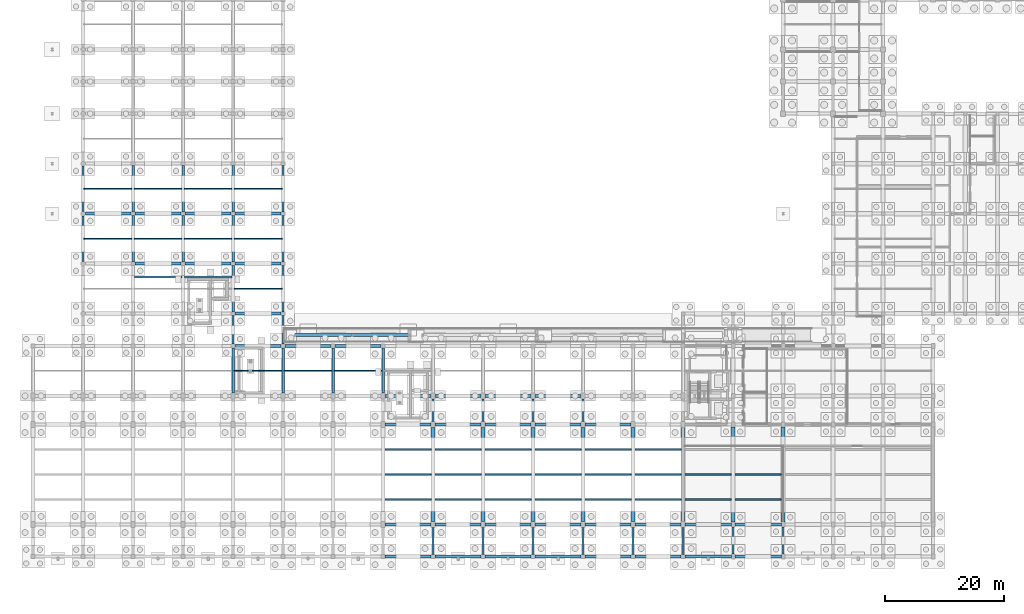
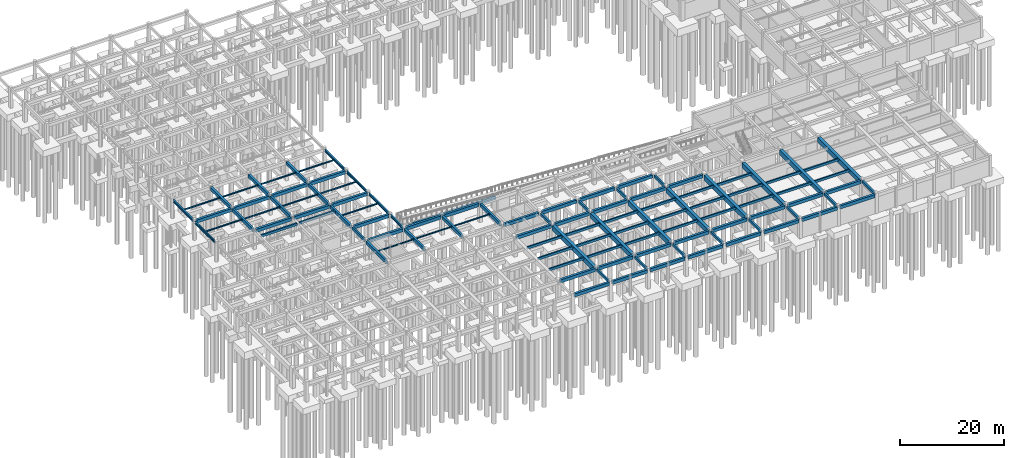
# One storey, part 27 of 49: 112 beams.
"""IFC4 building model written with IfcOpenShell, lengths in metres."""

from ifc_helpers import new_model, si_unit, direction, frame, origin, origin_2d, place, context, subcontext, project, spatial, rectangle, i_section, extrude, material, material_profile, profile_set, type_object, element, save


model = new_model("IFC4")

# Units and contexts
model_context = context("Model", 3, precision=1e-05, world=origin(), true_north=direction((0.0, 1.0)))
body_context = subcontext(model_context, "Body", "Model", "MODEL_VIEW")
ifc_project = project(units=[si_unit("LENGTHUNIT", "METRE"), si_unit("AREAUNIT", "SQUARE_METRE"), si_unit("VOLUMEUNIT", "CUBIC_METRE"), si_unit("PLANEANGLEUNIT", "RADIAN"), si_unit("MASSUNIT", "GRAM", prefix="KILO")], contexts=[model_context])

# Site, building, storey
site_placement = place(None, origin())
site = spatial("IfcSite", under=ifc_project, at=site_placement, CompositionType="ELEMENT")
building_placement = place(site_placement, origin())
building = spatial("IfcBuilding", under=site, at=building_placement, Name="Krzemoval Escarpment Law Courts", CompositionType="ELEMENT")
storey_placement = place(building_placement, frame((0.0, 0.0, -4.800048828125)))
storey = spatial("IfcBuildingStorey", under=building, at=storey_placement, Name="B1", CompositionType="ELEMENT", Elevation=-4.800048828125)

# Beams
ifc_material_1 = material(Name="Concrete C50/60", Category="concrete")
ifc_material_profile_1 = material_profile(ifc_material_1, rectangle(XDim=0.64990234375, YDim=1.14990234375, at=origin_2d()), Name="PTG 650x1150")
ifc_profile_set_1 = profile_set([ifc_material_profile_1], Name="Concrete C50/60")
beam_type_1 = type_object("IfcBeamType", Name="BM-PTG-650x1150", PredefinedType="BEAM", material=ifc_profile_set_1)
for number, where, z_axis, x_axis, name in (
    (1, (67.199951171875, 5.89990234375, 3.925048828125), (0.0, 1.0, 0.0), (-1.0, 0.0, 0.0), "Beam FG-B1-0339"),
    (2, (75.60009765625, 5.89990234375, 3.925048828125), (0.0, 1.0, 0.0), (-1.0, 0.0, 0.0), "Beam FG-B1-0345"),
    (3, (84.0, 5.89990234375, 3.925048828125), (0.0, 1.0, 0.0), (-1.0, 0.0, 0.0), "Beam FG-B1-0351"),
    (4, (92.39990234375, 5.89990234375, 3.925048828125), (0.0, 1.0, 0.0), (-1.0, 0.0, 0.0), "Beam FG-B1-0357"),
    (5, (100.800048828125, 5.89990234375, 3.925048828125), (0.0, 1.0, 0.0), (-1.0, 0.0, 0.0), "Beam FG-B1-0363"),
    (6, (109.199951171875, 5.89990234375, 3.925048828125), (0.0, 1.0, 0.0), (-1.0, 0.0, 0.0), "Beam FG-B1-0369"),
):
    element("IfcBeam", number, at=place(storey_placement, frame(where, z_axis=z_axis, x_axis=x_axis)), inside=storey, type_object=beam_type_1, Name=name, PredefinedType="BEAM", context=body_context, shape_type="SweptSolid", body=[
        extrude(rectangle(XDim=0.64990234375, YDim=1.14990234375, at=origin_2d()), origin(), (0.0, 0.0, 1.0), 15.800048828125),
    ])
for number, where, z_axis, x_axis, name in (
    (7, (117.60009765625, 5.800048828125, 3.925048828125), (0.0, 1.0, 0.0), (-1.0, 0.0, 0.0), "Beam FG-B1-0376"),
    (8, (126.0, 5.800048828125, 3.925048828125), (0.0, 1.0, 0.0), (-1.0, 0.0, 0.0), "Beam FG-B1-0383"),
):
    element("IfcBeam", number, at=place(storey_placement, frame(where, z_axis=z_axis, x_axis=x_axis)), inside=storey, type_object=beam_type_1, Name=name, PredefinedType="BEAM", context=body_context, shape_type="SweptSolid", body=[
        extrude(rectangle(XDim=0.64990234375, YDim=1.14990234375, at=origin_2d()), origin(), (0.0, 0.0, 1.0), 16.0),
    ])
ifc_material_2 = material(Name="Concrete C40/50", Category="concrete")
ifc_material_profile_2 = material_profile(ifc_material_2, rectangle(XDim=0.35009765625, YDim=0.550048828125, at=origin_2d()), Name="RCB 350x550")
ifc_profile_set_2 = profile_set([ifc_material_profile_2], Name="Concrete C40/50")
beam_type_2 = type_object("IfcBeamType", Name="BM-RC-350x550", PredefinedType="BEAM", material=ifc_profile_set_2)
beam_1_placement = place(storey_placement, frame((17.02490234375, 47.0, 4.22509765625), z_axis=(1.0, 0.0, 0.0), x_axis=(0.0, 1.0, 0.0)))
element("IfcBeam", 9, at=beam_1_placement, inside=storey, type_object=beam_type_2, Name="Beam FGT-B1-001", PredefinedType="BEAM", context=body_context, shape_type="SweptSolid", body=[
    extrude(rectangle(XDim=0.35009765625, YDim=0.550048828125, at=origin_2d()), origin(), (0.0, 0.0, 1.0), 7.9501953125),
])
beam_2_placement = place(storey_placement, frame((25.425048828125, 47.0, 4.22509765625), z_axis=(1.0, 0.0, 0.0), x_axis=(0.0, 1.0, 0.0)))
element("IfcBeam", 10, at=beam_2_placement, inside=storey, type_object=beam_type_2, Name="Beam FGT-B1-002", PredefinedType="BEAM", context=body_context, shape_type="SweptSolid", body=[
    extrude(rectangle(XDim=0.35009765625, YDim=0.550048828125, at=origin_2d()), origin(), (0.0, 0.0, 1.0), 7.949951171875),
])
ifc_material_3 = material(Name="Concrete C40/50", Category="concrete")
ifc_material_profile_3 = material_profile(ifc_material_3, rectangle(XDim=0.35009765625, YDim=0.64990234375, at=origin_2d()), Name="RCB 350x650")
ifc_profile_set_3 = profile_set([ifc_material_profile_3], Name="Concrete C40/50")
beam_type_3 = type_object("IfcBeamType", Name="BM-RC-350x650", PredefinedType="BEAM", material=ifc_profile_set_3)
beam_3_placement = place(storey_placement, frame((33.60009765625, 35.75, 4.175048828125), z_axis=(0.0, 1.0, 0.0), x_axis=(-1.0, 0.0, 0.0)))
element("IfcBeam", 11, at=beam_3_placement, inside=storey, type_object=beam_type_3, Name="Beam FG-B1-0298", PredefinedType="BEAM", context=body_context, shape_type="SweptSolid", body=[
    extrude(rectangle(XDim=0.35009765625, YDim=0.64990234375, at=origin_2d()), origin(), (0.0, 0.0, 1.0), 4.72509765625),
])
beam_4_placement = place(storey_placement, frame((67.199951171875, 0.35009765625, 4.175048828125), z_axis=(0.0, 1.0, 0.0), x_axis=(-1.0, 0.0, 0.0)))
element("IfcBeam", 12, at=beam_4_placement, inside=storey, type_object=beam_type_3, Name="Beam FG-B1-0338", PredefinedType="BEAM", context=body_context, shape_type="SweptSolid", body=[
    extrude(rectangle(XDim=0.35009765625, YDim=0.64990234375, at=origin_2d()), origin(), (0.0, 0.0, 1.0), 4.5498046875),
])
beam_5_placement = place(storey_placement, frame((67.199951171875, 22.699951171875, 4.175048828125), z_axis=(0.0, 1.0, 0.0), x_axis=(-1.0, 0.0, 0.0)))
element("IfcBeam", 13, at=beam_5_placement, inside=storey, type_object=beam_type_3, Name="Beam FG-B1-0340", PredefinedType="BEAM", context=body_context, shape_type="SweptSolid", body=[
    extrude(rectangle(XDim=0.35009765625, YDim=0.64990234375, at=origin_2d()), origin(), (0.0, 0.0, 1.0), 3.800048828125),
])
beam_6_placement = place(storey_placement, frame((75.60009765625, 0.35009765625, 4.175048828125), z_axis=(0.0, 1.0, 0.0), x_axis=(-1.0, 0.0, 0.0)))
element("IfcBeam", 14, at=beam_6_placement, inside=storey, type_object=beam_type_3, Name="Beam FG-B1-0344", PredefinedType="BEAM", context=body_context, shape_type="SweptSolid", body=[
    extrude(rectangle(XDim=0.35009765625, YDim=0.64990234375, at=origin_2d()), origin(), (0.0, 0.0, 1.0), 4.5498046875),
])
beam_7_placement = place(storey_placement, frame((75.60009765625, 22.699951171875, 4.175048828125), z_axis=(0.0, 1.0, 0.0), x_axis=(-1.0, 0.0, 0.0)))
element("IfcBeam", 15, at=beam_7_placement, inside=storey, type_object=beam_type_3, Name="Beam FG-B1-0346", PredefinedType="BEAM", context=body_context, shape_type="SweptSolid", body=[
    extrude(rectangle(XDim=0.35009765625, YDim=0.64990234375, at=origin_2d()), origin(), (0.0, 0.0, 1.0), 3.800048828125),
])
beam_8_placement = place(storey_placement, frame((84.0, 0.35009765625, 4.175048828125), z_axis=(0.0, 1.0, 0.0), x_axis=(-1.0, 0.0, 0.0)))
element("IfcBeam", 16, at=beam_8_placement, inside=storey, type_object=beam_type_3, Name="Beam FG-B1-0350", PredefinedType="BEAM", context=body_context, shape_type="SweptSolid", body=[
    extrude(rectangle(XDim=0.35009765625, YDim=0.64990234375, at=origin_2d()), origin(), (0.0, 0.0, 1.0), 4.5498046875),
])
beam_9_placement = place(storey_placement, frame((84.0, 22.699951171875, 4.175048828125), z_axis=(0.0, 1.0, 0.0), x_axis=(-1.0, 0.0, 0.0)))
element("IfcBeam", 17, at=beam_9_placement, inside=storey, type_object=beam_type_3, Name="Beam FG-B1-0352", PredefinedType="BEAM", context=body_context, shape_type="SweptSolid", body=[
    extrude(rectangle(XDim=0.35009765625, YDim=0.64990234375, at=origin_2d()), origin(), (0.0, 0.0, 1.0), 3.800048828125),
])
beam_10_placement = place(storey_placement, frame((92.39990234375, 0.35009765625, 4.175048828125), z_axis=(0.0, 1.0, 0.0), x_axis=(-1.0, 0.0, 0.0)))
element("IfcBeam", 18, at=beam_10_placement, inside=storey, type_object=beam_type_3, Name="Beam FG-B1-0356", PredefinedType="BEAM", context=body_context, shape_type="SweptSolid", body=[
    extrude(rectangle(XDim=0.35009765625, YDim=0.64990234375, at=origin_2d()), origin(), (0.0, 0.0, 1.0), 4.5498046875),
])
beam_11_placement = place(storey_placement, frame((92.39990234375, 22.699951171875, 4.175048828125), z_axis=(0.0, 1.0, 0.0), x_axis=(-1.0, 0.0, 0.0)))
element("IfcBeam", 19, at=beam_11_placement, inside=storey, type_object=beam_type_3, Name="Beam FG-B1-0358", PredefinedType="BEAM", context=body_context, shape_type="SweptSolid", body=[
    extrude(rectangle(XDim=0.35009765625, YDim=0.64990234375, at=origin_2d()), origin(), (0.0, 0.0, 1.0), 3.800048828125),
])
for number, where, z_axis, x_axis, name in (
    (20, (100.800048828125, 0.35009765625, 4.175048828125), (0.0, 1.0, 0.0), (-1.0, 0.0, 0.0), "Beam FG-B1-0362"),
    (21, (109.199951171875, 0.35009765625, 4.175048828125), (0.0, 1.0, 0.0), (-1.0, 0.0, 0.0), "Beam FG-B1-0368"),
):
    element("IfcBeam", number, at=place(storey_placement, frame(where, z_axis=z_axis, x_axis=x_axis)), inside=storey, type_object=beam_type_3, Name=name, PredefinedType="BEAM", context=body_context, shape_type="SweptSolid", body=[
        extrude(rectangle(XDim=0.35009765625, YDim=0.64990234375, at=origin_2d()), origin(), (0.0, 0.0, 1.0), 4.5498046875),
    ])
for number, where, z_axis, x_axis, name in (
    (22, (117.60009765625, 0.39990234375, 4.175048828125), (0.0, 1.0, 0.0), (-1.0, 0.0, 0.0), "Beam FG-B1-0375"),
    (23, (126.0, 0.39990234375, 4.175048828125), (0.0, 1.0, 0.0), (-1.0, 0.0, 0.0), "Beam FG-B1-0382"),
):
    element("IfcBeam", number, at=place(storey_placement, frame(where, z_axis=z_axis, x_axis=x_axis)), inside=storey, type_object=beam_type_3, Name=name, PredefinedType="BEAM", context=body_context, shape_type="SweptSolid", body=[
        extrude(rectangle(XDim=0.35009765625, YDim=0.64990234375, at=origin_2d()), origin(), (0.0, 0.0, 1.0), 4.60009765625),
    ])
ifc_material_4 = material(Name="Concrete C40/50", Category="concrete")
ifc_material_profile_4 = material_profile(ifc_material_4, rectangle(XDim=0.449951171875, YDim=0.800048828125, at=origin_2d()), Name="RCB 450x800")
ifc_profile_set_4 = profile_set([ifc_material_profile_4], Name="Concrete C40/50")
beam_type_4 = type_object("IfcBeamType", Name="BM-RC-450x800", PredefinedType="BEAM", material=ifc_profile_set_4)
for number, where, z_axis, x_axis, name in (
    (24, (16.800048828125, 49.52490234375, 4.10009765625), (0.0, 1.0, 0.0), (-1.0, 0.0, 0.0), "Beam FG-B1-0268"),
    (25, (16.800048828125, 57.925048828125, 4.10009765625), (0.0, 1.0, 0.0), (-1.0, 0.0, 0.0), "Beam FG-B1-0269"),
    (26, (25.199951171875, 49.52490234375, 4.10009765625), (0.0, 1.0, 0.0), (-1.0, 0.0, 0.0), "Beam FG-B1-0284"),
    (27, (25.199951171875, 57.925048828125, 4.10009765625), (0.0, 1.0, 0.0), (-1.0, 0.0, 0.0), "Beam FG-B1-0285"),
):
    element("IfcBeam", number, at=place(storey_placement, frame(where, z_axis=z_axis, x_axis=x_axis)), inside=storey, type_object=beam_type_4, Name=name, PredefinedType="BEAM", context=body_context, shape_type="SweptSolid", body=[
        extrude(rectangle(XDim=0.449951171875, YDim=0.800048828125, at=origin_2d()), origin(), (0.0, 0.0, 1.0), 7.75),
    ])
beam_12_placement = place(storey_placement, frame((33.60009765625, 27.5, 4.10009765625), z_axis=(0.0, 1.0, 0.0), x_axis=(-1.0, 0.0, 0.0)))
element("IfcBeam", 28, at=beam_12_placement, inside=storey, type_object=beam_type_4, Name="Beam FG-B1-0297", PredefinedType="BEAM", context=body_context, shape_type="SweptSolid", body=[
    extrude(rectangle(XDim=0.449951171875, YDim=0.800048828125, at=origin_2d()), origin(), (0.0, 0.0, 1.0), 7.550048828125),
])
for number, where, z_axis, x_axis, name in (
    (29, (33.60009765625, 41.125, 4.10009765625), (0.0, 1.0, 0.0), (-1.0, 0.0, 0.0), "Beam FG-B1-0299"),
    (30, (33.60009765625, 49.52490234375, 4.10009765625), (0.0, 1.0, 0.0), (-1.0, 0.0, 0.0), "Beam FG-B1-0300"),
    (31, (33.60009765625, 57.925048828125, 4.10009765625), (0.0, 1.0, 0.0), (-1.0, 0.0, 0.0), "Beam FG-B1-0301"),
):
    element("IfcBeam", number, at=place(storey_placement, frame(where, z_axis=z_axis, x_axis=x_axis)), inside=storey, type_object=beam_type_4, Name=name, PredefinedType="BEAM", context=body_context, shape_type="SweptSolid", body=[
        extrude(rectangle(XDim=0.449951171875, YDim=0.800048828125, at=origin_2d()), origin(), (0.0, 0.0, 1.0), 7.75),
    ])
for number, where, z_axis, x_axis, name in (
    (32, (42.0, 27.5, 4.10009765625), (0.0, 1.0, 0.0), (-1.0, 0.0, 0.0), "Beam FG-B1-0313"),
    (33, (50.39990234375, 27.5, 4.10009765625), (0.0, 1.0, 0.0), (-1.0, 0.0, 0.0), "Beam FG-B1-0329"),
    (34, (58.800048828125, 27.5, 4.10009765625), (0.0, 1.0, 0.0), (-1.0, 0.0, 0.0), "Beam FG-B1-0335"),
):
    element("IfcBeam", number, at=place(storey_placement, frame(where, z_axis=z_axis, x_axis=x_axis)), inside=storey, type_object=beam_type_4, Name=name, PredefinedType="BEAM", context=body_context, shape_type="SweptSolid", body=[
        extrude(rectangle(XDim=0.449951171875, YDim=0.800048828125, at=origin_2d()), origin(), (0.0, 0.0, 1.0), 7.550048828125),
    ])
ifc_material_5 = material(Name="Concrete C40/50", Category="concrete")
ifc_material_profile_5 = material_profile(ifc_material_5, rectangle(XDim=0.5, YDim=0.75, at=origin_2d()), Name="RCB 500x750")
ifc_profile_set_5 = profile_set([ifc_material_profile_5], Name="Concrete C40/50")
beam_type_5 = type_object("IfcBeamType", Name="BM-RC-500x750", PredefinedType="BEAM", material=ifc_profile_set_5)
beam_13_placement = place(storey_placement, frame((59.14990234375, 0.0, 4.125), z_axis=(1.0, 0.0, 0.0), x_axis=(0.0, 1.0, 0.0)))
element("IfcBeam", 35, at=beam_13_placement, inside=storey, type_object=beam_type_5, Name="Beam FG-B1-0008", PredefinedType="BEAM", context=body_context, shape_type="SweptSolid", body=[
    extrude(rectangle(XDim=0.5, YDim=0.75, at=origin_2d()), origin(), (0.0, 0.0, 1.0), 7.7001953125),
])
for number, where, z_axis, x_axis, name in (
    (36, (67.550048828125, 0.0, 4.125), (1.0, 0.0, 0.0), (0.0, 1.0, 0.0), "Beam FG-B1-0009"),
    (37, (75.949951171875, 0.0, 4.125), (1.0, 0.0, 0.0), (0.0, 1.0, 0.0), "Beam FG-B1-0010"),
    (38, (84.35009765625, 0.0, 4.125), (1.0, 0.0, 0.0), (0.0, 1.0, 0.0), "Beam FG-B1-0011"),
    (39, (92.75, 0.0, 4.125), (1.0, 0.0, 0.0), (0.0, 1.0, 0.0), "Beam FG-B1-0012"),
):
    element("IfcBeam", number, at=place(storey_placement, frame(where, z_axis=z_axis, x_axis=x_axis)), inside=storey, type_object=beam_type_5, Name=name, PredefinedType="BEAM", context=body_context, shape_type="SweptSolid", body=[
        extrude(rectangle(XDim=0.5, YDim=0.75, at=origin_2d()), origin(), (0.0, 0.0, 1.0), 7.699951171875),
    ])
beam_14_placement = place(storey_placement, frame((101.14990234375, 0.0, 4.125), z_axis=(1.0, 0.0, 0.0), x_axis=(0.0, 1.0, 0.0)))
element("IfcBeam", 40, at=beam_14_placement, inside=storey, type_object=beam_type_5, Name="Beam FG-B1-0013", PredefinedType="BEAM", context=body_context, shape_type="SweptSolid", body=[
    extrude(rectangle(XDim=0.5, YDim=0.75, at=origin_2d()), origin(), (0.0, 0.0, 1.0), 7.7001953125),
])
beam_15_placement = place(storey_placement, frame((109.550048828125, 0.0, 4.125), z_axis=(1.0, 0.0, 0.0), x_axis=(0.0, 1.0, 0.0)))
element("IfcBeam", 41, at=beam_15_placement, inside=storey, type_object=beam_type_5, Name="Beam FG-B1-0014", PredefinedType="BEAM", context=body_context, shape_type="SweptSolid", body=[
    extrude(rectangle(XDim=0.5, YDim=0.75, at=origin_2d()), origin(), (0.0, 0.0, 1.0), 7.75),
])
beam_16_placement = place(storey_placement, frame((117.89990234375, 0.0, 4.125), z_axis=(1.0, 0.0, 0.0), x_axis=(0.0, 1.0, 0.0)))
element("IfcBeam", 42, at=beam_16_placement, inside=storey, type_object=beam_type_5, Name="Beam FG-B1-0015", PredefinedType="BEAM", context=body_context, shape_type="SweptSolid", body=[
    extrude(rectangle(XDim=0.5, YDim=0.75, at=origin_2d()), origin(), (0.0, 0.0, 1.0), 7.800048828125),
])
beam_17_placement = place(storey_placement, frame((59.14990234375, 5.39990234375, 4.125), z_axis=(1.0, 0.0, 0.0), x_axis=(0.0, 1.0, 0.0)))
element("IfcBeam", 43, at=beam_17_placement, inside=storey, type_object=beam_type_5, Name="Beam FG-B1-0026", PredefinedType="BEAM", context=body_context, shape_type="SweptSolid", body=[
    extrude(rectangle(XDim=0.5, YDim=0.75, at=origin_2d()), origin(), (0.0, 0.0, 1.0), 7.7001953125),
])
for number, where, z_axis, x_axis, name in (
    (44, (67.550048828125, 5.39990234375, 4.125), (1.0, 0.0, 0.0), (0.0, 1.0, 0.0), "Beam FG-B1-0027"),
    (45, (75.949951171875, 5.39990234375, 4.125), (1.0, 0.0, 0.0), (0.0, 1.0, 0.0), "Beam FG-B1-0028"),
    (46, (84.35009765625, 5.39990234375, 4.125), (1.0, 0.0, 0.0), (0.0, 1.0, 0.0), "Beam FG-B1-0029"),
    (47, (92.75, 5.39990234375, 4.125), (1.0, 0.0, 0.0), (0.0, 1.0, 0.0), "Beam FG-B1-0030"),
):
    element("IfcBeam", number, at=place(storey_placement, frame(where, z_axis=z_axis, x_axis=x_axis)), inside=storey, type_object=beam_type_5, Name=name, PredefinedType="BEAM", context=body_context, shape_type="SweptSolid", body=[
        extrude(rectangle(XDim=0.5, YDim=0.75, at=origin_2d()), origin(), (0.0, 0.0, 1.0), 7.699951171875),
    ])
beam_18_placement = place(storey_placement, frame((101.14990234375, 5.39990234375, 4.125), z_axis=(1.0, 0.0, 0.0), x_axis=(0.0, 1.0, 0.0)))
element("IfcBeam", 48, at=beam_18_placement, inside=storey, type_object=beam_type_5, Name="Beam FG-B1-0031", PredefinedType="BEAM", context=body_context, shape_type="SweptSolid", body=[
    extrude(rectangle(XDim=0.5, YDim=0.75, at=origin_2d()), origin(), (0.0, 0.0, 1.0), 7.7001953125),
])
beam_19_placement = place(storey_placement, frame((109.550048828125, 5.39990234375, 4.125), z_axis=(1.0, 0.0, 0.0), x_axis=(0.0, 1.0, 0.0)))
element("IfcBeam", 49, at=beam_19_placement, inside=storey, type_object=beam_type_5, Name="Beam FG-B1-0032", PredefinedType="BEAM", context=body_context, shape_type="SweptSolid", body=[
    extrude(rectangle(XDim=0.5, YDim=0.75, at=origin_2d()), origin(), (0.0, 0.0, 1.0), 7.75),
])
beam_20_placement = place(storey_placement, frame((117.89990234375, 5.39990234375, 4.125), z_axis=(1.0, 0.0, 0.0), x_axis=(0.0, 1.0, 0.0)))
element("IfcBeam", 50, at=beam_20_placement, inside=storey, type_object=beam_type_5, Name="Beam FG-B1-0033", PredefinedType="BEAM", context=body_context, shape_type="SweptSolid", body=[
    extrude(rectangle(XDim=0.5, YDim=0.75, at=origin_2d()), origin(), (0.0, 0.0, 1.0), 7.800048828125),
])
beam_21_placement = place(storey_placement, frame((59.14990234375, 22.199951171875, 4.125), z_axis=(1.0, 0.0, 0.0), x_axis=(0.0, 1.0, 0.0)))
element("IfcBeam", 51, at=beam_21_placement, inside=storey, type_object=beam_type_5, Name="Beam FG-B1-0044", PredefinedType="BEAM", context=body_context, shape_type="SweptSolid", body=[
    extrude(rectangle(XDim=0.5, YDim=0.75, at=origin_2d()), origin(), (0.0, 0.0, 1.0), 7.7001953125),
])
for number, where, z_axis, x_axis, name in (
    (52, (67.550048828125, 22.199951171875, 4.125), (1.0, 0.0, 0.0), (0.0, 1.0, 0.0), "Beam FG-B1-0045"),
    (53, (75.949951171875, 22.199951171875, 4.125), (1.0, 0.0, 0.0), (0.0, 1.0, 0.0), "Beam FG-B1-0046"),
    (54, (84.35009765625, 22.199951171875, 4.125), (1.0, 0.0, 0.0), (0.0, 1.0, 0.0), "Beam FG-B1-0047"),
    (55, (92.75, 22.199951171875, 4.125), (1.0, 0.0, 0.0), (0.0, 1.0, 0.0), "Beam FG-B1-0048"),
):
    element("IfcBeam", number, at=place(storey_placement, frame(where, z_axis=z_axis, x_axis=x_axis)), inside=storey, type_object=beam_type_5, Name=name, PredefinedType="BEAM", context=body_context, shape_type="SweptSolid", body=[
        extrude(rectangle(XDim=0.5, YDim=0.75, at=origin_2d()), origin(), (0.0, 0.0, 1.0), 7.699951171875),
    ])
beam_22_placement = place(storey_placement, frame((59.14990234375, 27.0, 4.125), z_axis=(1.0, 0.0, 0.0), x_axis=(0.0, 1.0, 0.0)))
element("IfcBeam", 56, at=beam_22_placement, inside=storey, type_object=beam_type_5, Name="Beam FG-B1-0062", PredefinedType="BEAM", context=body_context, shape_type="SweptSolid", body=[
    extrude(rectangle(XDim=0.5, YDim=0.75, at=origin_2d()), origin(), (0.0, 0.0, 1.0), 7.7001953125),
])
for number, where, z_axis, x_axis, name in (
    (57, (67.550048828125, 27.0, 4.125), (1.0, 0.0, 0.0), (0.0, 1.0, 0.0), "Beam FG-B1-0063"),
    (58, (75.949951171875, 27.0, 4.125), (1.0, 0.0, 0.0), (0.0, 1.0, 0.0), "Beam FG-B1-0064"),
    (59, (84.35009765625, 27.0, 4.125), (1.0, 0.0, 0.0), (0.0, 1.0, 0.0), "Beam FG-B1-0065"),
    (60, (33.949951171875, 35.39990234375, 4.125), (1.0, 0.0, 0.0), (0.0, 1.0, 0.0), "Beam FG-B1-0076"),
    (61, (42.35009765625, 35.39990234375, 4.125), (1.0, 0.0, 0.0), (0.0, 1.0, 0.0), "Beam FG-B1-0077"),
    (62, (50.75, 35.39990234375, 4.125), (1.0, 0.0, 0.0), (0.0, 1.0, 0.0), "Beam FG-B1-0078"),
):
    element("IfcBeam", number, at=place(storey_placement, frame(where, z_axis=z_axis, x_axis=x_axis)), inside=storey, type_object=beam_type_5, Name=name, PredefinedType="BEAM", context=body_context, shape_type="SweptSolid", body=[
        extrude(rectangle(XDim=0.5, YDim=0.75, at=origin_2d()), origin(), (0.0, 0.0, 1.0), 7.699951171875),
    ])
for number, where, z_axis, x_axis, name in (
    (63, (33.925048828125, 40.800048828125, 4.125), (1.0, 0.0, 0.0), (0.0, 1.0, 0.0), "Beam FG-B1-0093"),
    (64, (17.125, 49.199951171875, 4.125), (1.0, 0.0, 0.0), (0.0, 1.0, 0.0), "Beam FG-B1-0104"),
    (65, (25.52490234375, 49.199951171875, 4.125), (1.0, 0.0, 0.0), (0.0, 1.0, 0.0), "Beam FG-B1-0105"),
    (66, (33.925048828125, 49.199951171875, 4.125), (1.0, 0.0, 0.0), (0.0, 1.0, 0.0), "Beam FG-B1-0106"),
):
    element("IfcBeam", number, at=place(storey_placement, frame(where, z_axis=z_axis, x_axis=x_axis)), inside=storey, type_object=beam_type_5, Name=name, PredefinedType="BEAM", context=body_context, shape_type="SweptSolid", body=[
        extrude(rectangle(XDim=0.5, YDim=0.75, at=origin_2d()), origin(), (0.0, 0.0, 1.0), 7.75),
    ])
beam_23_placement = place(storey_placement, frame((8.77490234375, 57.60009765625, 4.125), z_axis=(1.0, 0.0, 0.0), x_axis=(0.0, 1.0, 0.0)))
element("IfcBeam", 67, at=beam_23_placement, inside=storey, type_object=beam_type_5, Name="Beam FG-B1-0113", PredefinedType="BEAM", context=body_context, shape_type="SweptSolid", body=[
    extrude(rectangle(XDim=0.5, YDim=0.75, at=origin_2d()), origin(), (0.0, 0.0, 1.0), 7.7001953125),
])
for number, where, z_axis, x_axis, name in (
    (68, (17.125, 57.60009765625, 4.125), (1.0, 0.0, 0.0), (0.0, 1.0, 0.0), "Beam FG-B1-0114"),
    (69, (25.52490234375, 57.60009765625, 4.125), (1.0, 0.0, 0.0), (0.0, 1.0, 0.0), "Beam FG-B1-0115"),
    (70, (33.925048828125, 57.60009765625, 4.125), (1.0, 0.0, 0.0), (0.0, 1.0, 0.0), "Beam FG-B1-0116"),
):
    element("IfcBeam", number, at=place(storey_placement, frame(where, z_axis=z_axis, x_axis=x_axis)), inside=storey, type_object=beam_type_5, Name=name, PredefinedType="BEAM", context=body_context, shape_type="SweptSolid", body=[
        extrude(rectangle(XDim=0.5, YDim=0.75, at=origin_2d()), origin(), (0.0, 0.0, 1.0), 7.75),
    ])
beam_24_placement = place(storey_placement, frame((44.0, 37.199951171875, 3.005126953125), z_axis=(1.0, 0.0, 0.0), x_axis=(0.0, 1.0, 0.0)))
element("IfcBeam", 71, at=beam_24_placement, inside=storey, type_object=beam_type_5, Name="Ramp Longitudinal Support Girder RHB-2854", PredefinedType="BEAM", context=body_context, shape_type="SweptSolid", body=[
    extrude(rectangle(XDim=0.5, YDim=0.75, at=origin_2d()), origin(), (0.0, 0.0, 1.0), 9.60009765625),
])
beam_25_placement = place(storey_placement, frame((53.60009765625, 37.199951171875, 3.005126953125), z_axis=(1.0, 0.0, 0.0), x_axis=(0.0, 1.0, 0.0)))
element("IfcBeam", 72, at=beam_25_placement, inside=storey, type_object=beam_type_5, Name="Ramp Longitudinal Support Girder RHB-2855", PredefinedType="BEAM", context=body_context, shape_type="SweptSolid", body=[
    extrude(rectangle(XDim=0.5, YDim=0.75, at=origin_2d()), origin(), (0.0, 0.0, 1.0), 9.599853515625),
])
ifc_material_6 = material(Name="Concrete C40/50", Category="concrete")
ifc_material_profile_6 = material_profile(ifc_material_6, rectangle(XDim=0.300048828125, YDim=0.550048828125, at=origin_2d()), Name="RCB 300x550")
ifc_profile_set_6 = profile_set([ifc_material_profile_6], Name="Concrete C40/50")
beam_type_6 = type_object("IfcBeamType", Name="JST-RC-300x550", PredefinedType="JOIST", material=ifc_profile_set_6)
for number, where, z_axis, x_axis, name in (
    (73, (59.125, 9.60009765625, 4.22509765625), (1.0, 0.0, 0.0), (0.0, 1.0, 0.0), "Secondary Joist FJ-B1-0525"),
    (74, (59.125, 13.800048828125, 4.22509765625), (1.0, 0.0, 0.0), (0.0, 1.0, 0.0), "Secondary Joist FJ-B1-0526"),
    (75, (59.125, 18.0, 4.22509765625), (1.0, 0.0, 0.0), (0.0, 1.0, 0.0), "Secondary Joist FJ-B1-0527"),
    (76, (67.52490234375, 9.60009765625, 4.22509765625), (1.0, 0.0, 0.0), (0.0, 1.0, 0.0), "Secondary Joist FJ-B1-0530"),
    (77, (67.52490234375, 13.800048828125, 4.22509765625), (1.0, 0.0, 0.0), (0.0, 1.0, 0.0), "Secondary Joist FJ-B1-0531"),
    (78, (67.52490234375, 18.0, 4.22509765625), (1.0, 0.0, 0.0), (0.0, 1.0, 0.0), "Secondary Joist FJ-B1-0532"),
    (79, (75.925048828125, 9.60009765625, 4.22509765625), (1.0, 0.0, 0.0), (0.0, 1.0, 0.0), "Secondary Joist FJ-B1-0535"),
    (80, (75.925048828125, 13.800048828125, 4.22509765625), (1.0, 0.0, 0.0), (0.0, 1.0, 0.0), "Secondary Joist FJ-B1-0536"),
    (81, (75.925048828125, 18.0, 4.22509765625), (1.0, 0.0, 0.0), (0.0, 1.0, 0.0), "Secondary Joist FJ-B1-0537"),
    (82, (84.324951171875, 9.60009765625, 4.22509765625), (1.0, 0.0, 0.0), (0.0, 1.0, 0.0), "Secondary Joist FJ-B1-0540"),
    (83, (84.324951171875, 13.800048828125, 4.22509765625), (1.0, 0.0, 0.0), (0.0, 1.0, 0.0), "Secondary Joist FJ-B1-0541"),
    (84, (84.324951171875, 18.0, 4.22509765625), (1.0, 0.0, 0.0), (0.0, 1.0, 0.0), "Secondary Joist FJ-B1-0542"),
    (85, (92.72509765625, 9.60009765625, 4.22509765625), (1.0, 0.0, 0.0), (0.0, 1.0, 0.0), "Secondary Joist FJ-B1-0545"),
    (86, (92.72509765625, 13.800048828125, 4.22509765625), (1.0, 0.0, 0.0), (0.0, 1.0, 0.0), "Secondary Joist FJ-B1-0546"),
    (87, (92.72509765625, 18.0, 4.22509765625), (1.0, 0.0, 0.0), (0.0, 1.0, 0.0), "Secondary Joist FJ-B1-0547"),
    (88, (101.125, 9.60009765625, 4.22509765625), (1.0, 0.0, 0.0), (0.0, 1.0, 0.0), "Secondary Joist FJ-B1-0550"),
    (89, (101.125, 13.800048828125, 4.22509765625), (1.0, 0.0, 0.0), (0.0, 1.0, 0.0), "Secondary Joist FJ-B1-0551"),
    (90, (101.125, 18.0, 4.22509765625), (1.0, 0.0, 0.0), (0.0, 1.0, 0.0), "Secondary Joist FJ-B1-0552"),
    (91, (109.52490234375, 9.60009765625, 4.22509765625), (1.0, 0.0, 0.0), (0.0, 1.0, 0.0), "Secondary Joist FJ-B1-0555"),
    (92, (109.52490234375, 13.800048828125, 4.22509765625), (1.0, 0.0, 0.0), (0.0, 1.0, 0.0), "Secondary Joist FJ-B1-0556"),
    (93, (117.925048828125, 9.60009765625, 4.22509765625), (1.0, 0.0, 0.0), (0.0, 1.0, 0.0), "Secondary Joist FJ-B1-0560"),
    (94, (117.925048828125, 13.800048828125, 4.22509765625), (1.0, 0.0, 0.0), (0.0, 1.0, 0.0), "Secondary Joist FJ-B1-0561"),
):
    element("IfcBeam", number, at=place(storey_placement, frame(where, z_axis=z_axis, x_axis=x_axis)), inside=storey, type_object=beam_type_6, Name=name, PredefinedType="JOIST", context=body_context, shape_type="SweptSolid", body=[
        extrude(rectangle(XDim=0.300048828125, YDim=0.550048828125, at=origin_2d()), origin(), (0.0, 0.0, 1.0), 7.75),
    ])
ifc_material_7 = material(Name="Steel S355", Category="steel")
ifc_material_profile_7 = material_profile(ifc_material_7, i_section(OverallWidth=0.14990234375, OverallDepth=0.300048828125, WebThickness=0.007080078125, FlangeThickness=0.0107421875, at=origin_2d()), Name="IPE 300")
ifc_profile_set_7 = profile_set([ifc_material_profile_7], Name="Steel S355")
beam_type_7 = type_object("IfcBeamType", Name="JST-S355-IPE300", PredefinedType="JOIST", material=ifc_profile_set_7)
for number, where, z_axis, x_axis, name in (
    (95, (33.824951171875, 31.199951171875, 4.35009765625), (1.0, 0.0, 0.0), (0.0, 1.0, 0.0), "Secondary Joist FJ-B1-0508"),
    (96, (42.22509765625, 31.199951171875, 4.35009765625), (1.0, 0.0, 0.0), (0.0, 1.0, 0.0), "Secondary Joist FJ-B1-0518"),
    (97, (50.625, 31.199951171875, 4.35009765625), (1.0, 0.0, 0.0), (0.0, 1.0, 0.0), "Secondary Joist FJ-B1-0523"),
):
    element("IfcBeam", number, at=place(storey_placement, frame(where, z_axis=z_axis, x_axis=x_axis)), inside=storey, type_object=beam_type_7, Name=name, PredefinedType="JOIST", context=body_context, shape_type="SweptSolid", body=[
        extrude(i_section(OverallWidth=0.14990234375, OverallDepth=0.300048828125, WebThickness=0.007080078125, FlangeThickness=0.0107421875, at=origin_2d()), origin(), (0.0, 0.0, 1.0), 7.949951171875),
    ])
ifc_material_8 = material(Name="Steel S355", Category="steel")
ifc_material_profile_8 = material_profile(ifc_material_8, i_section(OverallWidth=0.159912109375, OverallDepth=0.330078125, WebThickness=0.007568359375, FlangeThickness=0.011474609375, at=origin_2d()), Name="IPE 330")
ifc_profile_set_8 = profile_set([ifc_material_profile_8], Name="Steel S355")
beam_type_8 = type_object("IfcBeamType", Name="JST-S355-IPE330", PredefinedType="JOIST", material=ifc_profile_set_8)
for number, where, z_axis, x_axis, name in (
    (98, (8.550048828125, 53.39990234375, 4.3349609375), (1.0, 0.0, 0.0), (0.0, 1.0, 0.0), "Secondary Joist FJ-B1-0480"),
    (99, (8.550048828125, 61.800048828125, 4.3349609375), (1.0, 0.0, 0.0), (0.0, 1.0, 0.0), "Secondary Joist FJ-B1-0481"),
):
    element("IfcBeam", number, at=place(storey_placement, frame(where, z_axis=z_axis, x_axis=x_axis)), inside=storey, type_object=beam_type_8, Name=name, PredefinedType="JOIST", context=body_context, shape_type="SweptSolid", body=[
        extrude(i_section(OverallWidth=0.159912109375, OverallDepth=0.330078125, WebThickness=0.007568359375, FlangeThickness=0.011474609375, at=origin_2d()), origin(), (0.0, 0.0, 1.0), 8.02490234375),
    ])
for number, where, z_axis, x_axis, name in (
    (100, (17.02490234375, 53.39990234375, 4.3349609375), (1.0, 0.0, 0.0), (0.0, 1.0, 0.0), "Secondary Joist FJ-B1-0490"),
    (101, (17.02490234375, 61.800048828125, 4.3349609375), (1.0, 0.0, 0.0), (0.0, 1.0, 0.0), "Secondary Joist FJ-B1-0491"),
):
    element("IfcBeam", number, at=place(storey_placement, frame(where, z_axis=z_axis, x_axis=x_axis)), inside=storey, type_object=beam_type_8, Name=name, PredefinedType="JOIST", context=body_context, shape_type="SweptSolid", body=[
        extrude(i_section(OverallWidth=0.159912109375, OverallDepth=0.330078125, WebThickness=0.007568359375, FlangeThickness=0.011474609375, at=origin_2d()), origin(), (0.0, 0.0, 1.0), 7.9501953125),
    ])
for number, where, z_axis, x_axis, name in (
    (102, (25.425048828125, 53.39990234375, 4.3349609375), (1.0, 0.0, 0.0), (0.0, 1.0, 0.0), "Secondary Joist FJ-B1-0500"),
    (103, (25.425048828125, 61.800048828125, 4.3349609375), (1.0, 0.0, 0.0), (0.0, 1.0, 0.0), "Secondary Joist FJ-B1-0501"),
):
    element("IfcBeam", number, at=place(storey_placement, frame(where, z_axis=z_axis, x_axis=x_axis)), inside=storey, type_object=beam_type_8, Name=name, PredefinedType="JOIST", context=body_context, shape_type="SweptSolid", body=[
        extrude(i_section(OverallWidth=0.159912109375, OverallDepth=0.330078125, WebThickness=0.007568359375, FlangeThickness=0.011474609375, at=origin_2d()), origin(), (0.0, 0.0, 1.0), 7.949951171875),
    ])
for number, where, z_axis, x_axis, name in (
    (104, (33.824951171875, 45.0, 4.3349609375), (1.0, 0.0, 0.0), (0.0, 1.0, 0.0), "Secondary Joist FJ-B1-0509"),
    (105, (33.824951171875, 53.39990234375, 4.3349609375), (1.0, 0.0, 0.0), (0.0, 1.0, 0.0), "Secondary Joist FJ-B1-0510"),
    (106, (33.824951171875, 61.800048828125, 4.3349609375), (1.0, 0.0, 0.0), (0.0, 1.0, 0.0), "Secondary Joist FJ-B1-0511"),
):
    element("IfcBeam", number, at=place(storey_placement, frame(where, z_axis=z_axis, x_axis=x_axis)), inside=storey, type_object=beam_type_8, Name=name, PredefinedType="JOIST", context=body_context, shape_type="SweptSolid", body=[
        extrude(i_section(OverallWidth=0.159912109375, OverallDepth=0.330078125, WebThickness=0.007568359375, FlangeThickness=0.011474609375, at=origin_2d()), origin(), (0.0, 0.0, 1.0), 8.025146484375),
    ])
ifc_material_9 = material(Name="Steel S355", Category="steel")
ifc_material_profile_9 = material_profile(ifc_material_9, i_section(OverallWidth=0.300048828125, OverallDepth=0.60009765625, WebThickness=0.015380859375, FlangeThickness=0.030029296875, at=origin_2d()), Name="HEB 600")
ifc_profile_set_9 = profile_set([ifc_material_profile_9], Name="Steel S355")
beam_type_9 = type_object("IfcBeamType", Name="SPN-S355-HEB600", PredefinedType="SPANDREL", material=ifc_profile_set_9)
beam_26_placement = place(storey_placement, frame((8.39990234375, 49.574951171875, 4.199951171875), z_axis=(0.0, 1.0, 0.0), x_axis=(-1.0, 0.0, 0.0)))
element("IfcBeam", 107, at=beam_26_placement, inside=storey, type_object=beam_type_9, Name="Beam FG-B1-0252", PredefinedType="SPANDREL", context=body_context, shape_type="SweptSolid", body=[
    extrude(i_section(OverallWidth=0.300048828125, OverallDepth=0.60009765625, WebThickness=0.015380859375, FlangeThickness=0.030029296875, at=origin_2d()), origin(), (0.0, 0.0, 1.0), 7.650146484375),
])
beam_27_placement = place(storey_placement, frame((8.39990234375, 57.97509765625, 4.199951171875), z_axis=(0.0, 1.0, 0.0), x_axis=(-1.0, 0.0, 0.0)))
element("IfcBeam", 108, at=beam_27_placement, inside=storey, type_object=beam_type_9, Name="Beam FG-B1-0253", PredefinedType="SPANDREL", context=body_context, shape_type="SweptSolid", body=[
    extrude(i_section(OverallWidth=0.300048828125, OverallDepth=0.60009765625, WebThickness=0.015380859375, FlangeThickness=0.030029296875, at=origin_2d()), origin(), (0.0, 0.0, 1.0), 7.64990234375),
])
beam_28_placement = place(storey_placement, frame((42.0, 35.75, 4.199951171875), z_axis=(0.0, 1.0, 0.0), x_axis=(-1.0, 0.0, 0.0)))
element("IfcBeam", 109, at=beam_28_placement, inside=storey, type_object=beam_type_9, Name="Beam FG-B1-0314", PredefinedType="SPANDREL", context=body_context, shape_type="SweptSolid", body=[
    extrude(i_section(OverallWidth=0.300048828125, OverallDepth=0.60009765625, WebThickness=0.015380859375, FlangeThickness=0.030029296875, at=origin_2d()), origin(), (0.0, 0.0, 1.0), 4.72509765625),
])
for number, where, z_axis, x_axis, name in (
    (110, (42.0, 41.125, 4.199951171875), (0.0, 1.0, 0.0), (-1.0, 0.0, 0.0), "Beam FG-B1-0315"),
    (111, (42.0, 49.52490234375, 4.199951171875), (0.0, 1.0, 0.0), (-1.0, 0.0, 0.0), "Beam FG-B1-0316"),
    (112, (42.0, 57.925048828125, 4.199951171875), (0.0, 1.0, 0.0), (-1.0, 0.0, 0.0), "Beam FG-B1-0317"),
):
    element("IfcBeam", number, at=place(storey_placement, frame(where, z_axis=z_axis, x_axis=x_axis)), inside=storey, type_object=beam_type_9, Name=name, PredefinedType="SPANDREL", context=body_context, shape_type="SweptSolid", body=[
        extrude(i_section(OverallWidth=0.300048828125, OverallDepth=0.60009765625, WebThickness=0.015380859375, FlangeThickness=0.030029296875, at=origin_2d()), origin(), (0.0, 0.0, 1.0), 7.75),
    ])

save(model, "model.ifc")
